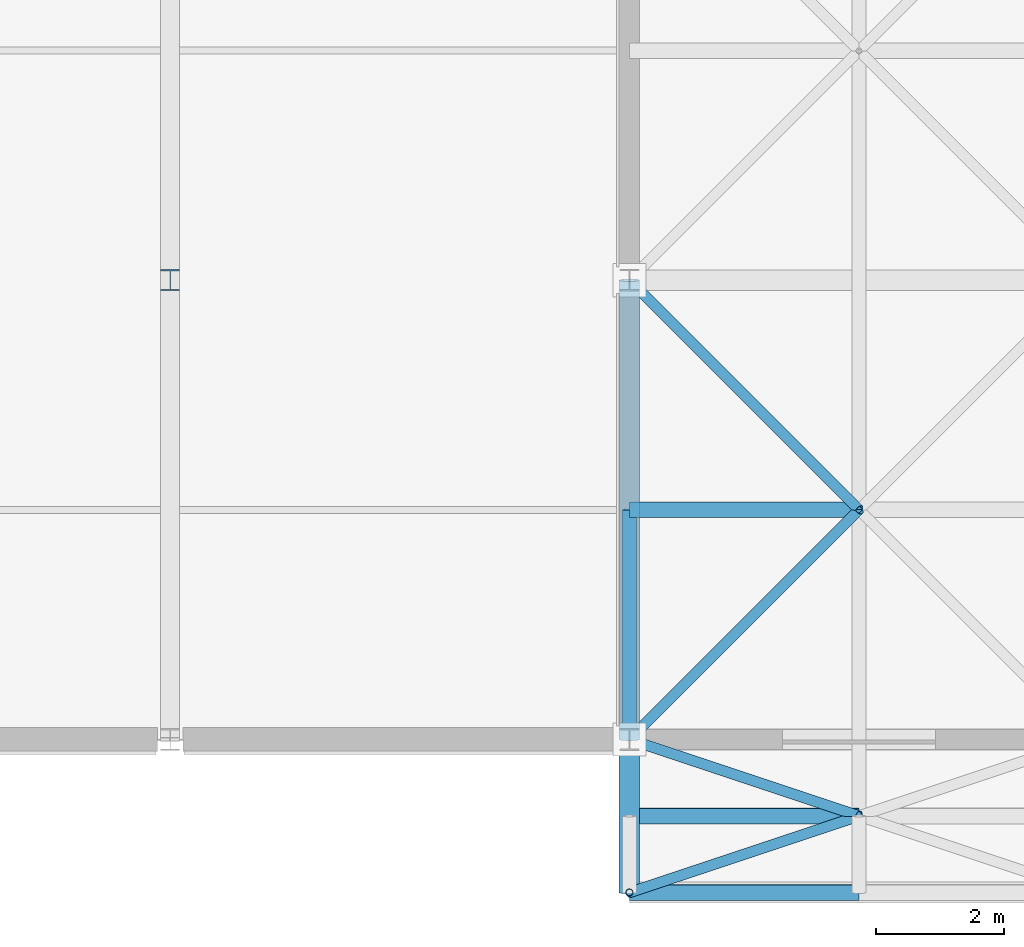
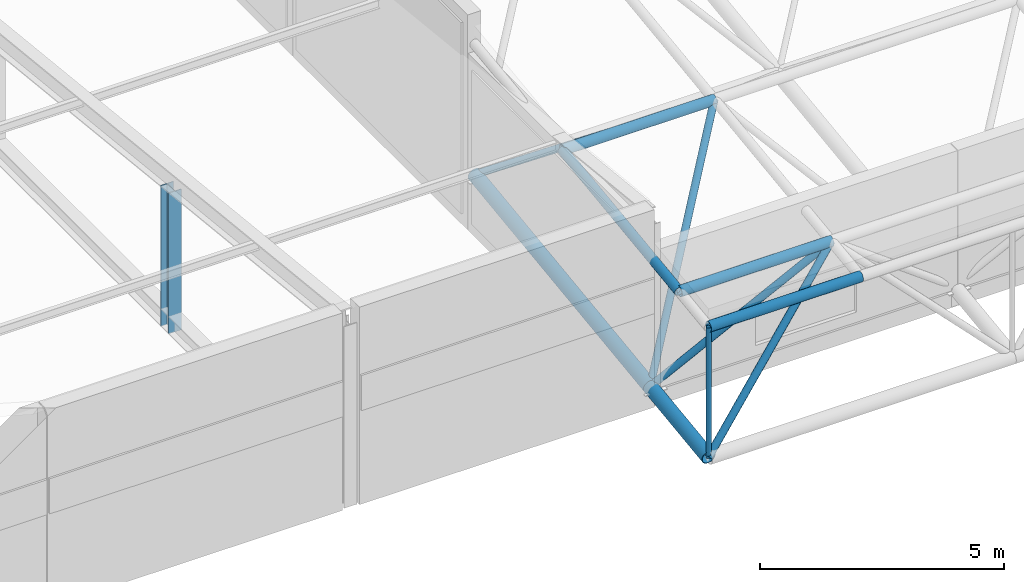
# One storey, part 29 of 103: 12 members.
"""IFC4 building model written with IfcOpenShell, lengths in metres."""

import ifcopenshell
import ifcopenshell.guid

model = None  # the IFC model being written
_history = None  # IfcOwnerHistory: only IFC2X3 demands one
_inside = {}  # id of a spatial element -> (the spatial element, [elements in it])
_under = {}  # id of a project, library or spatial element -> (it, [spatial elements below it])
_declared = {}  # id of a project -> (the project, [libraries it declares])
_typed = {}  # id of a type object -> (the type object, [elements of that type])
_made_of = {}  # id of a material, layer set ... -> (it, [elements and type objects made of it])


def new_model(schema):
    """Start an empty IFC model of exactly this schema.

    Asked for "IFC4X3", IfcOpenShell would pick the latest addendum, in which some entities
    have other attributes; the version numbers below select the first issue.
    IFC2X3 requires an IfcOwnerHistory on every rooted entity: one is made here for all.
    """
    global model, _history
    if schema == "IFC4X3":
        model = ifcopenshell.file(schema_version=(4, 3, 0, 0))
    else:
        model = ifcopenshell.file(schema=schema)
    _inside.clear()
    _under.clear()
    _declared.clear()
    _typed.clear()
    _made_of.clear()
    _history = None
    if model.schema == "IFC2X3":
        org = make("IfcOrganization", Name="unknown")
        user = make(
            "IfcPersonAndOrganization",
            ThePerson=make("IfcPerson", FamilyName="unknown"),
            TheOrganization=org,
        )
        app = make(
            "IfcApplication",
            ApplicationDeveloper=org,
            Version="unknown",
            ApplicationFullName="unknown",
            ApplicationIdentifier="unknown",
        )
        _history = make(
            "IfcOwnerHistory",
            OwningUser=user,
            OwningApplication=app,
            ChangeAction="ADDED",
            CreationDate=0,
        )
    return model


def make(cls, **values):
    """One entity of the class cls with the attributes given. An attribute that is None is left unset."""
    return model.create_entity(
        cls, **{name: value for name, value in values.items() if value is not None}
    )


def rooted(cls, **values):
    """An entity with a GlobalId (a new one), such as an element, a storey or a relation."""
    return make(cls, GlobalId=ifcopenshell.guid.new(), OwnerHistory=_history, **values)


def si_unit(unit_type, name, prefix=None):
    """IfcSIUnit, for example si_unit("LENGTHUNIT", "METRE", prefix="MILLI")."""
    return make("IfcSIUnit", UnitType=unit_type, Prefix=prefix, Name=name)


def assignment(units):
    """IfcUnitAssignment: the units of a project."""
    return None if units is None else make("IfcUnitAssignment", Units=units)


def point(xyz):
    """IfcCartesianPoint."""
    return None if xyz is None else make("IfcCartesianPoint", Coordinates=xyz)


def direction(xyz):
    """IfcDirection."""
    return None if xyz is None else make("IfcDirection", DirectionRatios=xyz)


def frame(location, z_axis=None, x_axis=None):
    """IfcAxis2Placement3D, a coordinate frame: its origin and axes. An axis left out is left unset."""
    return make(
        "IfcAxis2Placement3D",
        Location=point(location),
        Axis=direction(z_axis),
        RefDirection=direction(x_axis),
    )


def frame_2d(location, x_axis=None):
    """IfcAxis2Placement2D, a coordinate frame in the plane: its origin and x axis."""
    return make(
        "IfcAxis2Placement2D", Location=point(location), RefDirection=direction(x_axis)
    )


def origin():
    """The frame at (0, 0, 0) with its axes left unset."""
    return frame((0.0, 0.0, 0.0))


def origin_2d():
    """The frame at (0, 0) in the plane with its x axis left unset."""
    return frame_2d((0.0, 0.0))


def place(relative_to, where):
    """IfcLocalPlacement: puts the frame where relative to a parent placement (None: the world)."""
    return make(
        "IfcLocalPlacement", PlacementRelTo=relative_to, RelativePlacement=where
    )


def context(
    kind, dimensions, precision=None, world=None, true_north=None, identifier=None
):
    """IfcGeometricRepresentationContext, for example the 3D "Model" context."""
    return make(
        "IfcGeometricRepresentationContext",
        ContextIdentifier=identifier,
        ContextType=kind,
        CoordinateSpaceDimension=dimensions,
        Precision=precision,
        WorldCoordinateSystem=world,
        TrueNorth=true_north,
    )


def subcontext(parent, identifier, kind, view, scale=None):
    """IfcGeometricRepresentationSubContext, for example "Body" below "Model"."""
    return make(
        "IfcGeometricRepresentationSubContext",
        ContextIdentifier=identifier,
        ContextType=kind,
        ParentContext=parent,
        TargetScale=scale,
        TargetView=view,
    )


def project(units=None, contexts=None):
    """IfcProject with its units and contexts."""
    return rooted(
        "IfcProject",
        Name="project",
        RepresentationContexts=contexts,
        UnitsInContext=assignment(units),
    )


def spatial(cls, under=None, at=None, **own):
    """A site, building, storey or space (cls), placed at a placement, below another one or the project."""
    s = rooted(cls, ObjectPlacement=at, **own)
    if under is not None:
        _under.setdefault(under.id(), (under, []))[1].append(s)
    return s


def profile(cls, at=None, kind="AREA", **sizes):
    """A parametric profile (cls). Its sizes go by their IFC names, for example OverallWidth=200.0."""
    return make(cls, ProfileType=kind, Position=at, **sizes)


def hollow_circle(**sizes):
    """IfcCircleHollowProfileDef."""
    return profile("IfcCircleHollowProfileDef", **sizes)


def i_section(**sizes):
    """IfcIShapeProfileDef."""
    return profile("IfcIShapeProfileDef", **sizes)


def extrude(swept, where, along, depth):
    """IfcExtrudedAreaSolid: the profile swept, set in the frame where, extruded along a direction by depth."""
    return make(
        "IfcExtrudedAreaSolid",
        SweptArea=swept,
        Position=where,
        ExtrudedDirection=direction(along),
        Depth=depth,
    )


def shape(context_of_items, identifier, shape_type, items):
    """IfcShapeRepresentation: the items that make up one representation, for example the "Body"."""
    return make(
        "IfcShapeRepresentation",
        ContextOfItems=context_of_items,
        RepresentationIdentifier=identifier,
        RepresentationType=shape_type,
        Items=items,
    )


def material(Name=None, Category=None):
    """IfcMaterial."""
    return make("IfcMaterial", Name=Name, Category=Category)


def material_profile(
    of_material, cross_section, Name=None, Category=None, Priority=None
):
    """IfcMaterialProfile: a cross section and its material."""
    return make(
        "IfcMaterialProfile",
        Name=Name,
        Material=of_material,
        Profile=cross_section,
        Priority=Priority,
        Category=Category,
    )


def profile_set(profiles, Name=None, composite=None):
    """IfcMaterialProfileSet."""
    return make(
        "IfcMaterialProfileSet",
        Name=Name,
        MaterialProfiles=profiles,
        CompositeProfile=composite,
    )


def made_of(thing, what):
    """Note that an element or type object is made of a material, layer set ...; save() writes the relation."""
    if what is not None:
        _made_of.setdefault(what.id(), (what, []))[1].append(thing)
    return thing


def type_object(cls, material=None, **own):
    """A type object (cls), such as IfcWallType, which elements share."""
    return made_of(rooted(cls, **own), material)


def element(
    cls,
    number,
    at=None,
    inside=None,
    cuts=None,
    type_object=None,
    material=None,
    context=None,
    identifier="Body",
    shape_type=None,
    held_by="IfcProductDefinitionShape",
    body=None,
    shapes=None,
    **own,
):
    """One element of the class cls, such as IfcWall. Its Tag is "e" and its number.

    at: its placement. inside: the storey or other place that contains it. cuts: it is an
    opening in that element (IfcRelVoidsElement). A single representation is given by context,
    identifier, shape_type and body (its items); several are given by shapes. held_by: the class
    of the entity that holds the representations. save() writes the other relations.
    """
    e = rooted(cls, Tag="e%d" % number, ObjectPlacement=at, **own)
    if body is not None:
        shapes = [shape(context, identifier, shape_type, body)]
    if shapes is not None:
        e.Representation = make(held_by, Representations=shapes)
    if inside is not None:
        _inside.setdefault(inside.id(), (inside, []))[1].append(e)
    if cuts is not None:
        rooted(
            "IfcRelVoidsElement", RelatingBuildingElement=cuts, RelatedOpeningElement=e
        )
    if type_object is not None:
        _typed.setdefault(type_object.id(), (type_object, []))[1].append(e)
    return made_of(e, material)


def aggregate(whole, parts):
    """IfcRelAggregates: a whole, such as a stair, and the parts it consists of."""
    return rooted("IfcRelAggregates", RelatingObject=whole, RelatedObjects=parts)


def save(model, path):
    """Write the relations noted so far, then the file.

    IfcRelAggregates (storeys below a building ...), IfcRelContainedInSpatialStructure (elements
    in a storey), IfcRelDefinesByType, IfcRelAssociatesMaterial and IfcRelDeclares: one each for
    every whole, place, type object, material and project.
    """
    for whole, parts in _under.values():
        aggregate(whole, parts)
    for where, things in _inside.values():
        rooted(
            "IfcRelContainedInSpatialStructure",
            RelatedElements=things,
            RelatingStructure=where,
        )
    for kind, things in _typed.values():
        rooted("IfcRelDefinesByType", RelatedObjects=things, RelatingType=kind)
    for what, things in _made_of.values():
        rooted("IfcRelAssociatesMaterial", RelatedObjects=things, RelatingMaterial=what)
    for by, libraries in _declared.values():
        rooted("IfcRelDeclares", RelatingContext=by, RelatedDefinitions=libraries)
    model.write(path)


model = new_model("IFC4")

# Units and contexts
model_context = context("Model", 3, precision=1e-05, world=origin(), true_north=direction((0.0, 1.0)))
body_context = subcontext(model_context, "Body", "Model", "MODEL_VIEW")
ifc_project = project(units=[si_unit("LENGTHUNIT", "METRE"), si_unit("AREAUNIT", "SQUARE_METRE"), si_unit("VOLUMEUNIT", "CUBIC_METRE"), si_unit("PLANEANGLEUNIT", "RADIAN"), si_unit("MASSUNIT", "GRAM", prefix="KILO")], contexts=[model_context])

# Site, building, storey
site_placement = place(None, origin())
site = spatial("IfcSite", under=ifc_project, at=site_placement, CompositionType="ELEMENT")
building_placement = place(site_placement, origin())
building = spatial("IfcBuilding", under=site, at=building_placement, Name="Thalmaran Polytechnic", CompositionType="ELEMENT")
storey_placement = place(building_placement, frame((0.0, 0.0, 14.39990234375)))
storey = spatial("IfcBuildingStorey", under=building, at=storey_placement, Name="L03", CompositionType="ELEMENT", Elevation=14.39990234375)

# Members
ifc_material = material(Name="Steel S355", Category="steel")
ifc_material_profile_1 = material_profile(ifc_material, hollow_circle(Radius=0.161865234375, WallThickness=0.012451171875, at=origin_2d()), Name="CHS 323.9x12.5")
ifc_profile_set_1 = profile_set([ifc_material_profile_1], Name="Steel S355")
member_type_1 = type_object("IfcMemberType", Name="MB-SFC0", PredefinedType="CHORD", material=ifc_profile_set_1)
member_1_placement = place(storey_placement, frame((108.0, -2.39990234375, 0.064208984375), z_axis=(0.0, 0.99144674145, 0.130511910828), x_axis=(-1.0, 0.0, 0.0)))
element("IfcMember", 1, at=member_1_placement, inside=storey, type_object=member_type_1, Name="Space-Frame Bottom Chord Y (0,0)", PredefinedType="CHORD", context=body_context, shape_type="SweptSolid", body=[
    extrude(hollow_circle(Radius=0.161865234375, WallThickness=0.012451171875, at=origin_2d()), origin(), (0.0, 0.0, 1.0), 2.420654296875),
])
member_2_placement = place(storey_placement, frame((108.0, 0.0, 0.380126953125), z_axis=(0.0, 0.991447314079, 0.130507560722), x_axis=(-1.0, 0.0, 0.0)))
element("IfcMember", 2, at=member_2_placement, inside=storey, type_object=member_type_1, Name="Space-Frame Bottom Chord Y (0,1)", PredefinedType="CHORD", context=body_context, shape_type="SweptSolid", body=[
    extrude(hollow_circle(Radius=0.161865234375, WallThickness=0.012451171875, at=origin_2d()), origin(), (0.0, 0.0, 1.0), 7.261962890625),
])
ifc_material_profile_2 = material_profile(ifc_material, hollow_circle(Radius=0.122314453125, WallThickness=0.010009765625, at=origin_2d()), Name="CHS 244.5x10.0")
ifc_profile_set_2 = profile_set([ifc_material_profile_2], Name="Steel S355")
member_type_2 = type_object("IfcMemberType", Name="MB-SFC1", PredefinedType="CHORD", material=ifc_profile_set_2)
for number, where, z_axis, x_axis, name in (
    (3, (108.0, -2.39990234375, 3.334228515625), (1.0, 0.0, 0.0), (0.0, 1.0, 0.0), "Space-Frame Top Chord X (0,0)"),
    (4, (108.0, -1.199951171875, 3.4921875), (1.0, 0.0, 0.0), (0.0, 1.0, 0.0), "Space-Frame Top Chord X (0,1)"),
    (5, (108.0, 3.60009765625, 4.1240234375), (1.0, 0.0, 0.0), (0.0, 1.0, 0.0), "Space-Frame Top Chord X (0,2)"),
):
    element("IfcMember", number, at=place(storey_placement, frame(where, z_axis=z_axis, x_axis=x_axis)), inside=storey, type_object=member_type_2, Name=name, PredefinedType="CHORD", context=body_context, shape_type="SweptSolid", body=[
        extrude(hollow_circle(Radius=0.122314453125, WallThickness=0.010009765625, at=origin_2d()), origin(), (0.0, 0.0, 1.0), 3.60009765625),
    ])
ifc_material_profile_3 = material_profile(ifc_material, hollow_circle(Radius=0.109619140625, WallThickness=0.010009765625, at=origin_2d()), Name="CHS 219.1x10.0")
ifc_profile_set_3 = profile_set([ifc_material_profile_3], Name="Steel S355")
member_type_3 = type_object("IfcMemberType", Name="MB-SFC2", PredefinedType="CHORD", material=ifc_profile_set_3)
member_3_placement = place(storey_placement, frame((108.0, -1.199951171875, 3.4921875), z_axis=(0.0, 0.991447600372, 0.130505385777), x_axis=(-1.0, 0.0, 0.0)))
element("IfcMember", 6, at=member_3_placement, inside=storey, type_object=member_type_3, Name="Space-Frame Top Chord Y (0,1)", PredefinedType="CHORD", context=body_context, shape_type="SweptSolid", body=[
    extrude(hollow_circle(Radius=0.109619140625, WallThickness=0.010009765625, at=origin_2d()), origin(), (0.0, 0.0, 1.0), 4.841552734375),
])
ifc_material_profile_4 = material_profile(ifc_material, hollow_circle(Radius=0.084228515625, WallThickness=0.008056640625, at=origin_2d()), Name="CHS 168.3x8.0")
ifc_profile_set_4 = profile_set([ifc_material_profile_4], Name="Steel S355")
member_type_4 = type_object("IfcMemberType", Name="MB-SFD1", PredefinedType="BRACE", material=ifc_profile_set_4)
member_4_placement = place(storey_placement, frame((108.0, -2.39990234375, 0.064208984375), z_axis=(0.703987521352, 0.234646593479, 0.670330176815), x_axis=(-0.316208465333, 0.948689731394, 0.0)))
element("IfcMember", 7, at=member_4_placement, inside=storey, type_object=member_type_4, Name="Space-Frame Web Diagonal (0,0)-1", PredefinedType="BRACE", context=body_context, shape_type="SweptSolid", body=[
    extrude(hollow_circle(Radius=0.084228515625, WallThickness=0.008056640625, at=origin_2d()), origin(), (0.0, 0.0, 1.0), 5.11376953125),
])
member_5_placement = place(storey_placement, frame((108.0, 0.0, 0.380126953125), z_axis=(0.733561258825, -0.244503837456, 0.634118090753), x_axis=(0.316208465333, 0.948689731394, 0.0)))
element("IfcMember", 8, at=member_5_placement, inside=storey, type_object=member_type_4, Name="Space-Frame Web Diagonal (0,0)-3", PredefinedType="BRACE", context=body_context, shape_type="SweptSolid", body=[
    extrude(hollow_circle(Radius=0.084228515625, WallThickness=0.008056640625, at=origin_2d()), origin(), (0.0, 0.0, 1.0), 4.90771484375),
])
member_6_placement = place(storey_placement, frame((108.0, 0.0, 0.380126953125), z_axis=(0.569665890713, 0.569665890713, 0.592420075552), x_axis=(-0.707106781187, 0.707106781187, 0.0)))
element("IfcMember", 9, at=member_6_placement, inside=storey, type_object=member_type_4, Name="Space-Frame Web Diagonal (0,1)-1", PredefinedType="BRACE", context=body_context, shape_type="SweptSolid", body=[
    extrude(hollow_circle(Radius=0.084228515625, WallThickness=0.008056640625, at=origin_2d()), origin(), (0.0, 0.0, 1.0), 6.319580078125),
])
member_7_placement = place(storey_placement, frame((108.0, 7.199951171875, 1.327880859375), z_axis=(0.619803774917, -0.619761742923, 0.481392420597), x_axis=(0.707082803744, 0.707130757816, 0.0)))
element("IfcMember", 10, at=member_7_placement, inside=storey, type_object=member_type_4, Name="Space-Frame Web Diagonal (0,1)-3", PredefinedType="BRACE", context=body_context, shape_type="SweptSolid", body=[
    extrude(hollow_circle(Radius=0.084228515625, WallThickness=0.008056640625, at=origin_2d()), origin(), (0.0, 0.0, 1.0), 5.808349609375),
])
ifc_material_profile_5 = material_profile(ifc_material, hollow_circle(Radius=0.05712890625, WallThickness=0.00634765625, at=origin_2d()), Name="CHS 114.3x6.3")
ifc_profile_set_5 = profile_set([ifc_material_profile_5], Name="Steel S355")
member_type_5 = type_object("IfcMemberType", Name="MB-SFD3", PredefinedType="BRACE", material=ifc_profile_set_5)
member_8_placement = place(storey_placement, frame((108.0, -2.39990234375, 0.064208984375), z_axis=(0.0, 0.0, 1.0), x_axis=(1.0, 0.0, 0.0)))
element("IfcMember", 11, at=member_8_placement, inside=storey, type_object=member_type_5, Name="Space-Frame Eave Post (0,0)", PredefinedType="BRACE", context=body_context, shape_type="SweptSolid", body=[
    extrude(hollow_circle(Radius=0.05712890625, WallThickness=0.00634765625, at=origin_2d()), origin(), (0.0, 0.0, 1.0), 3.27001953125),
])
ifc_material_profile_6 = material_profile(ifc_material, i_section(OverallWidth=0.300048828125, OverallDepth=0.330078125, WebThickness=0.009521484375, FlangeThickness=0.0166015625, at=origin_2d()), Name="HEA 340")
ifc_profile_set_6 = profile_set([ifc_material_profile_6], Name="Steel S355")
member_type_6 = type_object("IfcMemberType", Name="MB-TRS1", PredefinedType="STRUT", material=ifc_profile_set_6)
member_9_placement = place(storey_placement, frame((100.800048828125, 7.199951171875, 0.0), z_axis=(0.0, 0.0, 1.0), x_axis=(1.0, 0.0, 0.0)))
element("IfcMember", 12, at=member_9_placement, inside=storey, type_object=member_type_6, Name="Lecture Truss Web Strut G14-7", PredefinedType="STRUT", context=body_context, shape_type="SweptSolid", body=[
    extrude(i_section(OverallWidth=0.300048828125, OverallDepth=0.330078125, WebThickness=0.009521484375, FlangeThickness=0.0166015625, at=origin_2d()), origin(), (0.0, 0.0, 1.0), 3.530029296875),
])

save(model, "model.ifc")
